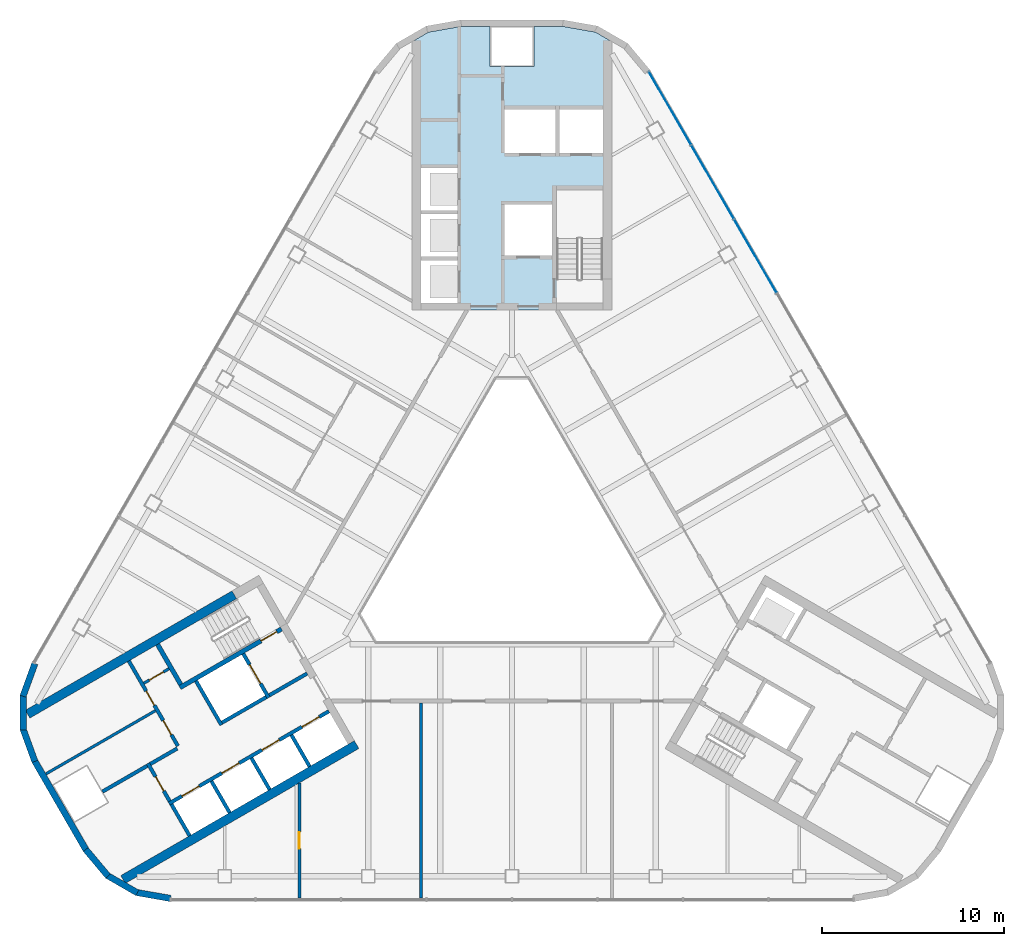
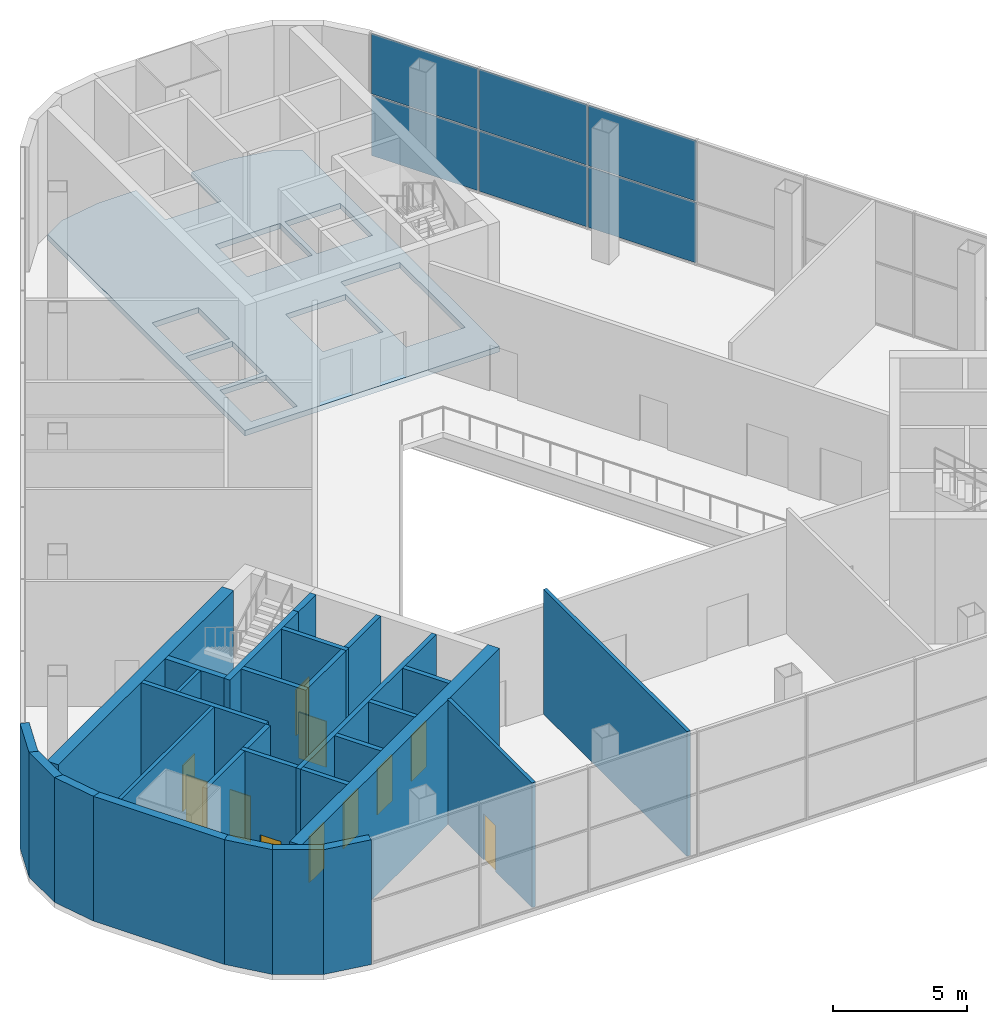
# One storey, part 7 of 14: 29 walls, 11 doors, 6 plates, 1 slab, 11 openings, 1 element without a shape of its own.
"""IFC4 building model written with IfcOpenShell, lengths in metres."""

from ifc_helpers import new_model, si_unit, direction, frame, frame_2d, origin, origin_2d, place, context, subcontext, project, spatial, polyline, rectangle, outline, extrude, material, layer, layer_set, type_object, element, fill, aggregate, save


model = new_model("IFC4")

# Units and contexts
model_context = context("Model", 3, precision=1e-05, world=origin(), true_north=direction((0.0, 1.0)))
body_context = subcontext(model_context, "Body", "Model", "MODEL_VIEW")
ifc_project = project(units=[si_unit("LENGTHUNIT", "METRE"), si_unit("AREAUNIT", "SQUARE_METRE"), si_unit("VOLUMEUNIT", "CUBIC_METRE"), si_unit("PLANEANGLEUNIT", "RADIAN"), si_unit("MASSUNIT", "GRAM", prefix="KILO")], contexts=[model_context])

# Site, building, storey
site_placement = place(None, origin())
site = spatial("IfcSite", under=ifc_project, at=site_placement, CompositionType="ELEMENT")
building_placement = place(site_placement, origin())
building = spatial("IfcBuilding", under=site, at=building_placement, Name="Apuvela Tower Hotel", CompositionType="ELEMENT")
storey_placement = place(building_placement, frame((0.0, 0.0, 231.699951171875)))
storey = spatial("IfcBuildingStorey", under=building, at=storey_placement, Name="L57", CompositionType="ELEMENT", Elevation=231.699951171875)

# Slab
ifc_material_1 = material(Name="Concrete C50/60", Category="concrete")
ifc_layer_1 = layer(ifc_material_1, 0.25)
ifc_layer_set_1 = layer_set([ifc_layer_1], Name="COR-FLOOR-250")
slab_type = type_object("IfcSlabType", Name="COR-FLOOR-250", PredefinedType="FLOOR", material=ifc_layer_set_1)
slab_placement = place(storey_placement, frame((0.0, 0.0, -0.25)))
element("IfcSlab", 1, at=slab_placement, inside=storey, type_object=slab_type, Name="Core floor N", PredefinedType="FLOOR", context=body_context, shape_type="SweptSolid", body=[
    extrude(outline(polyline([(5.5, 27.668212890625), (4.588623046875, 28.1943359375), (2.85498046875, 28.5), (1.199951171875, 28.5), (1.199951171875, 26.300048828125), (-1.199951171875, 26.300048828125), (-1.199951171875, 28.5), (-2.85498046875, 28.5), (-4.588623046875, 28.1943359375), (-5.5, 27.668212890625), (-5.5, 12.89990234375), (5.5, 12.89990234375), (5.5, 27.668212890625)]), holes=[polyline([(-3.0, 13.300048828125), (-5.0, 13.300048828125), (-5.0, 15.639892578125), (-3.0, 15.639892578125), (-3.0, 13.300048828125)]), polyline([(-3.0, 18.179931640625), (-3.0, 15.840087890625), (-5.0, 15.840087890625), (-5.0, 18.179931640625), (-3.0, 18.179931640625)]), polyline([(5.0, 19.5), (5.0, 14.60595703125), (2.449951171875, 14.60595703125), (2.449951171875, 19.5), (5.0, 19.5)]), polyline([(2.199951171875, 18.699951171875), (2.199951171875, 15.89990234375), (-0.39990234375, 15.89990234375), (-0.39990234375, 18.699951171875), (2.199951171875, 18.699951171875)]), polyline([(-3.0, 20.719970703125), (-3.0, 18.3798828125), (-5.0, 18.3798828125), (-5.0, 20.719970703125), (-3.0, 20.719970703125)]), polyline([(5.0, 23.949951171875), (5.0, 21.550048828125), (2.60009765625, 21.550048828125), (2.60009765625, 23.949951171875), (5.0, 23.949951171875)]), polyline([(2.39990234375, 23.949951171875), (2.39990234375, 21.550048828125), (-0.39990234375, 21.550048828125), (-0.39990234375, 23.949951171875), (2.39990234375, 23.949951171875)])]), origin(), (0.0, 0.0, 1.0), 0.25),
])

# Curtain wall, plates
ifc_material_2 = material(Name="Aluminium 6063-T6, dark bronze anodised", Category="aluminium")
ifc_layer_2 = layer(ifc_material_2, 0.199951171875)
ifc_layer_set_2 = layer_set([ifc_layer_2], Name="ENV-CW-S")
curtain_wall_type = type_object("IfcCurtainWallType", Name="ENV-CW-S", PredefinedType="NOTDEFINED", material=ifc_layer_set_2)
curtain_wall_placement = place(storey_placement, origin())
curtain_wall = element("IfcCurtainWall", 2, at=curtain_wall_placement, inside=storey, type_object=curtain_wall_type, Name="Curtain wall CW-S NE L57", PredefinedType="NOTDEFINED")
ifc_material_3 = material(Name="Glass, dark tinted laminated insulated glazing unit", Category="glass")
ifc_layer_3 = layer(ifc_material_3, 0.0400390625)
ifc_layer_set_3 = layer_set([ifc_layer_3], Name="ENV-PANEL-IGU-40")
plate_type = type_object("IfcPlateType", Name="ENV-PANEL-IGU-40", PredefinedType="CURTAIN_PANEL", material=ifc_layer_set_3)
plate_1_placement = place(storey_placement, frame((13.385498046875, 15.875732421875, 0.065185546875), z_axis=(0.0, 0.0, 1.0), x_axis=(-0.49999909771, 0.866025924721, 0.0)))
plate_1 = element("IfcPlate", 3, at=plate_1_placement, type_object=plate_type, Name="CW-S panel 6.1", PredefinedType="CURTAIN_PANEL", context=body_context, shape_type="SweptSolid", body=[
    extrude(rectangle(XDim=4.638916015625, YDim=0.0400390625, at=origin_2d()), origin(), (0.0, 0.0, 1.0), 2.75244140625),
])
plate_2_placement = place(storey_placement, frame((13.385498046875, 15.875732421875, 2.882568359375), z_axis=(0.0, 0.0, 1.0), x_axis=(-0.49999909771, 0.866025924721, 0.0)))
plate_2 = element("IfcPlate", 4, at=plate_2_placement, type_object=plate_type, Name="CW-S panel 6.2", PredefinedType="CURTAIN_PANEL", context=body_context, shape_type="SweptSolid", body=[
    extrude(rectangle(XDim=4.638916015625, YDim=0.0400390625, at=origin_2d()), origin(), (0.0, 0.0, 1.0), 2.75244140625),
])
plate_3_placement = place(storey_placement, frame((11.033447265625, 19.949462890625, 0.065185546875), z_axis=(0.0, 0.0, 1.0), x_axis=(-0.49999909771, 0.866025924721, 0.0)))
plate_3 = element("IfcPlate", 5, at=plate_3_placement, type_object=plate_type, Name="CW-S panel 7.1", PredefinedType="CURTAIN_PANEL", context=body_context, shape_type="SweptSolid", body=[
    extrude(rectangle(XDim=4.638916015625, YDim=0.0400390625, at=origin_2d()), origin(), (0.0, 0.0, 1.0), 2.75244140625),
])
plate_4_placement = place(storey_placement, frame((11.033447265625, 19.949462890625, 2.882568359375), z_axis=(0.0, 0.0, 1.0), x_axis=(-0.49999909771, 0.866025924721, 0.0)))
plate_4 = element("IfcPlate", 6, at=plate_4_placement, type_object=plate_type, Name="CW-S panel 7.2", PredefinedType="CURTAIN_PANEL", context=body_context, shape_type="SweptSolid", body=[
    extrude(rectangle(XDim=4.638916015625, YDim=0.0400390625, at=origin_2d()), origin(), (0.0, 0.0, 1.0), 2.75244140625),
])
plate_5_placement = place(storey_placement, frame((8.689697265625, 24.009033203125, 0.065185546875), z_axis=(0.0, 0.0, 1.0), x_axis=(-0.49999909771, 0.866025924721, 0.0)))
plate_5 = element("IfcPlate", 7, at=plate_5_placement, type_object=plate_type, Name="CW-S panel 8.1", PredefinedType="CURTAIN_PANEL", context=body_context, shape_type="SweptSolid", body=[
    extrude(rectangle(XDim=4.6064453125, YDim=0.0400390625, at=origin_2d()), origin(), (0.0, 0.0, 1.0), 2.75244140625),
])
plate_6_placement = place(storey_placement, frame((8.689697265625, 24.009033203125, 2.882568359375), z_axis=(0.0, 0.0, 1.0), x_axis=(-0.49999909771, 0.866025924721, 0.0)))
plate_6 = element("IfcPlate", 8, at=plate_6_placement, type_object=plate_type, Name="CW-S panel 8.2", PredefinedType="CURTAIN_PANEL", context=body_context, shape_type="SweptSolid", body=[
    extrude(rectangle(XDim=4.6064453125, YDim=0.0400390625, at=origin_2d()), origin(), (0.0, 0.0, 1.0), 2.75244140625),
])
aggregate(curtain_wall, [plate_1, plate_2, plate_3, plate_4, plate_5, plate_6])

# Walls
ifc_layer_4 = layer(ifc_material_1, 0.5)
ifc_layer_set_4 = layer_set([ifc_layer_4], Name="COR-WALL-CORE-500")
wall_type_1 = type_object("IfcWallType", Name="COR-WALL-CORE-500", PredefinedType="SHEAR", material=ifc_layer_set_4)
wall_1_placement = place(storey_placement, frame((-8.546630859375, -10.99658203125, 0.0), z_axis=(0.0, 0.0, 1.0), x_axis=(-0.866025009528, -0.500000682871, 0.0)))
element("IfcWall", 9, at=wall_1_placement, inside=storey, type_object=wall_type_1, Name="Core wall SW", PredefinedType="SHEAR", context=body_context, shape_type="SweptSolid", body=[
    extrude(rectangle(XDim=14.8369140625, YDim=0.5, at=frame_2d((7.41845703125, 0.0))), origin(), (0.0, 0.0, 1.0), 5.699951171875),
])
wall_2_placement = place(storey_placement, frame((-15.274169921875, -2.75634765625, 0.0), z_axis=(0.0, 0.0, 1.0), x_axis=(-0.86602396135, -0.500002498361, 0.0)))
element("IfcWall", 10, at=wall_2_placement, inside=storey, type_object=wall_type_1, Name="Core wall SW", PredefinedType="SHEAR", context=body_context, shape_type="SweptSolid", body=[
    extrude(rectangle(XDim=13.130859375, YDim=0.5, at=frame_2d((6.5654296875, 0.0))), origin(), (0.0, 0.0, 1.0), 5.699951171875),
])

# Wall, opening, door
ifc_material_4 = material(Name="Blockwork 150 mm plastered", Category="masonry")
ifc_layer_5 = layer(ifc_material_4, 0.14990234375)
ifc_layer_set_5 = layer_set([ifc_layer_5], Name="COR-WALL-PART-150")
wall_type_2 = type_object("IfcWallType", Name="COR-WALL-PART-150", PredefinedType="PARTITIONING", material=ifc_layer_set_5)
wall_3_placement = place(storey_placement, frame((-18.866455078125, -6.822265625, 0.0), z_axis=(0.0, 0.0, 1.0), x_axis=(-0.866028054938, -0.499995408039, 0.0)))
wall_3 = element("IfcWall", 11, at=wall_3_placement, inside=storey, type_object=wall_type_2, Name="Partition SW", PredefinedType="PARTITIONING", context=body_context, shape_type="SweptSolid", body=[
    extrude(rectangle(XDim=1.60009765625, YDim=0.14990234375, at=frame_2d((0.800048828125, 0.0))), origin(), (0.0, 0.0, 1.0), 5.699951171875),
])
opening_1_placement = place(wall_3_placement, frame((0.35009765625, 0.0, 0.0)))
opening_1 = element("IfcOpeningElement", 12, at=opening_1_placement, cuts=wall_3, Name="Opening W-RD", PredefinedType="OPENING", context=body_context, shape_type="SweptSolid", body=[
    extrude(rectangle(XDim=0.89990234375, YDim=2.10009765625, at=frame_2d((0.449951171875, 1.050048828125))), frame((0.0, 0.0849609375, 0.0), z_axis=(0.0, -1.0, 0.0), x_axis=(1.0, 0.0, 0.0)), (0.0, 0.0, 1.0), 0.169921875),
])
ifc_material_5 = material(Name="Steel access door, powder coated", Category="steel")
door_type_1 = type_object("IfcDoorType", Name="COR-RD-900", OperationType="NOTDEFINED", PredefinedType="DOOR", material=ifc_material_5)
door_1_placement = place(opening_1_placement, frame((0.89990234375, 0.0, 0.0), z_axis=(0.0, 0.0, 1.0), x_axis=(-1.0, 0.0, 0.0)))
door_1 = element("IfcDoor", 13, at=door_1_placement, inside=storey, type_object=door_type_1, Name="Riser door W-RD", OperationType="SINGLE_SWING_RIGHT", OverallHeight=2.10009765625, OverallWidth=0.89990234375, PredefinedType="DOOR", context=body_context, shape_type="SweptSolid", body=[
    extrude(rectangle(XDim=0.89990234375, YDim=2.10009765625, at=frame_2d((0.449951171875, 1.050048828125))), frame((0.0, 0.02490234375, 0.0), z_axis=(0.0, -1.0, 0.0), x_axis=(1.0, 0.0, 0.0)), (0.0, 0.0, 1.0), 0.050048828125),
])
fill(opening_1, door_1)

# Wall
wall_4_placement = place(storey_placement, frame((-19.61279296875, -9.129638671875, 0.0), z_axis=(0.0, 0.0, 1.0), x_axis=(-0.866031734426, -0.499989034847, 0.0)))
element("IfcWall", 14, at=wall_4_placement, inside=storey, type_object=wall_type_2, Name="Partition SW", PredefinedType="PARTITIONING", context=body_context, shape_type="SweptSolid", body=[
    extrude(rectangle(XDim=6.949951171875, YDim=0.14990234375, at=frame_2d((3.47509765625, 0.0))), origin(), (0.0, 0.0, 1.0), 5.699951171875),
])

# Wall, openings, doors
ifc_material_6 = material(Name="Blockwork 200 mm plastered", Category="masonry")
ifc_layer_6 = layer(ifc_material_6, 0.199951171875)
ifc_layer_set_6 = layer_set([ifc_layer_6], Name="COR-WALL-PART-200")
wall_type_3 = type_object("IfcWallType", Name="COR-WALL-PART-200", PredefinedType="PARTITIONING", material=ifc_layer_set_6)
wall_5_placement = place(storey_placement, frame((-21.076171875, -6.39501953125, 0.0), z_axis=(0.0, 0.0, 1.0), x_axis=(0.50001468107, -0.866016927499, 0.0)))
wall_5 = element("IfcWall", 15, at=wall_5_placement, inside=storey, type_object=wall_type_3, Name="Partition SW", PredefinedType="PARTITIONING", context=body_context, shape_type="SweptSolid", body=[
    extrude(rectangle(XDim=5.399658203125, YDim=0.199951171875, at=frame_2d((2.69970703125, 0.0))), origin(), (0.0, 0.0, 1.0), 5.699951171875),
])
opening_2_placement = place(wall_5_placement, frame((1.91259765625, 0.0, 0.0)))
opening_2 = element("IfcOpeningElement", 16, at=opening_2_placement, cuts=wall_5, Name="Opening W-RS1", PredefinedType="OPENING", context=body_context, shape_type="SweptSolid", body=[
    extrude(rectangle(XDim=0.89990234375, YDim=2.10009765625, at=frame_2d((0.449951171875, 1.050048828125))), frame((0.0, 0.10986328125, 0.0), z_axis=(0.0, -1.0, 0.0), x_axis=(1.0, 0.0, 0.0)), (0.0, 0.0, 1.0), 0.219970703125),
])
opening_3_placement = place(wall_5_placement, frame((3.78759765625, 0.0, 0.0)))
opening_3 = element("IfcOpeningElement", 17, at=opening_3_placement, cuts=wall_5, Name="Opening W-RS2", PredefinedType="OPENING", context=body_context, shape_type="SweptSolid", body=[
    extrude(rectangle(XDim=0.89990234375, YDim=2.10009765625, at=frame_2d((0.449951171875, 1.050048828125))), frame((0.0, 0.10986328125, 0.0), z_axis=(0.0, -1.0, 0.0), x_axis=(1.0, 0.0, 0.0)), (0.0, 0.0, 1.0), 0.219970703125),
])
ifc_material_7 = material(Name="Steel fire door, powder coated", Category="steel")
door_type_2 = type_object("IfcDoorType", Name="COR-DR-900", OperationType="NOTDEFINED", PredefinedType="DOOR", material=ifc_material_7)
door_2_placement = place(opening_2_placement, frame((0.89990234375, 0.0, 0.0), z_axis=(0.0, 0.0, 1.0), x_axis=(-1.0, 0.0, 0.0)))
door_2 = element("IfcDoor", 18, at=door_2_placement, inside=storey, type_object=door_type_2, Name="Store door W-RS1", OperationType="SINGLE_SWING_LEFT", OverallHeight=2.10009765625, OverallWidth=0.89990234375, PredefinedType="DOOR", context=body_context, shape_type="SweptSolid", body=[
    extrude(rectangle(XDim=0.89990234375, YDim=2.10009765625, at=frame_2d((0.449951171875, 1.050048828125))), frame((0.0, 0.02490234375, 0.0), z_axis=(0.0, -1.0, 0.0), x_axis=(1.0, 0.0, 0.0)), (0.0, 0.0, 1.0), 0.050048828125),
])
fill(opening_2, door_2)
door_3_placement = place(opening_3_placement, frame((0.89990234375, 0.0, 0.0), z_axis=(0.0, 0.0, 1.0), x_axis=(-1.0, 0.0, 0.0)))
door_3 = element("IfcDoor", 19, at=door_3_placement, inside=storey, type_object=door_type_2, Name="Store door W-RS2", OperationType="SINGLE_SWING_LEFT", OverallHeight=2.10009765625, OverallWidth=0.89990234375, PredefinedType="DOOR", context=body_context, shape_type="SweptSolid", body=[
    extrude(rectangle(XDim=0.89990234375, YDim=2.10009765625, at=frame_2d((0.449951171875, 1.050048828125))), frame((0.0, 0.02490234375, 0.0), z_axis=(0.0, -1.0, 0.0), x_axis=(1.0, 0.0, 0.0)), (0.0, 0.0, 1.0), 0.050048828125),
])
fill(opening_3, door_3)

# Wall
ifc_layer_7 = layer(ifc_material_1, 0.199951171875)
ifc_layer_set_7 = layer_set([ifc_layer_7], Name="COR-WALL-SHAFT-200")
wall_type_4 = type_object("IfcWallType", Name="COR-WALL-SHAFT-200", PredefinedType="SHEAR", material=ifc_layer_set_7)
wall_6_placement = place(storey_placement, frame((-17.38134765625, -7.49462890625, 0.0), z_axis=(0.0, 0.0, 1.0), x_axis=(0.500011755427, -0.866018616679, 0.0)))
element("IfcWall", 20, at=wall_6_placement, inside=storey, type_object=wall_type_4, Name="Shaft wall SW", PredefinedType="SHEAR", context=body_context, shape_type="SweptSolid", body=[
    extrude(rectangle(XDim=2.80029296875, YDim=0.199951171875, at=frame_2d((1.400146484375, 0.0))), origin(), (0.0, 0.0, 1.0), 5.699951171875),
])

# Wall, opening, door
wall_7_placement = place(storey_placement, frame((-14.783203125, -5.99462890625, 0.0), z_axis=(0.0, 0.0, 1.0), x_axis=(0.49994636267, -0.866056369097, 0.0)))
wall_7 = element("IfcWall", 21, at=wall_7_placement, inside=storey, type_object=wall_type_4, Name="Shaft wall SW", PredefinedType="SHEAR", context=body_context, shape_type="SweptSolid", body=[
    extrude(rectangle(XDim=2.800048828125, YDim=0.199951171875, at=frame_2d((1.39990234375, 0.0))), origin(), (0.0, 0.0, 1.0), 5.699951171875),
])
opening_4_placement = place(wall_7_placement, frame((0.699951171875, 0.0, 0.0)))
opening_4 = element("IfcOpeningElement", 22, at=opening_4_placement, cuts=wall_7, Name="Opening W-LD-FS2", PredefinedType="OPENING", context=body_context, shape_type="SweptSolid", body=[
    extrude(rectangle(XDim=1.199951171875, YDim=2.10009765625, at=frame_2d((0.60009765625, 1.050048828125))), frame((0.0, 0.10986328125, 0.0), z_axis=(0.0, -1.0, 0.0), x_axis=(1.0, 0.0, 0.0)), (0.0, 0.0, 1.0), 0.219970703125),
])
ifc_material_8 = material(Name="Stainless steel lift landing door", Category="steel")
door_type_3 = type_object("IfcDoorType", Name="COR-LD-1200", OperationType="DOUBLE_DOOR_SLIDING", PredefinedType="DOOR", material=ifc_material_8)
door_4_placement = place(opening_4_placement, origin())
door_4 = element("IfcDoor", 23, at=door_4_placement, inside=storey, type_object=door_type_3, Name="Lift landing door W-LD-FS2", OperationType="DOUBLE_DOOR_SLIDING", OverallHeight=2.10009765625, OverallWidth=1.199951171875, PredefinedType="DOOR", context=body_context, shape_type="SweptSolid", body=[
    extrude(rectangle(XDim=1.199951171875, YDim=2.10009765625, at=frame_2d((0.60009765625, 1.050048828125))), frame((0.0, 0.02490234375, 0.0), z_axis=(0.0, -1.0, 0.0), x_axis=(1.0, 0.0, 0.0)), (0.0, 0.0, 1.0), 0.050048828125),
])
fill(opening_4, door_4)

# Walls
wall_8_placement = place(storey_placement, frame((-13.519775390625, -8.383056640625, 0.0), z_axis=(0.0, 0.0, 1.0), x_axis=(-0.866034573852, -0.49998411664, 0.0)))
element("IfcWall", 24, at=wall_8_placement, inside=storey, type_object=wall_type_4, Name="Shaft wall SW", PredefinedType="SHEAR", context=body_context, shape_type="SweptSolid", body=[
    extrude(rectangle(XDim=2.7998046875, YDim=0.199951171875, at=frame_2d((1.39990234375, 0.0))), origin(), (0.0, 0.0, 1.0), 5.699951171875),
])
wall_9_placement = place(storey_placement, frame((-11.26806640625, -7.0830078125, 0.0), z_axis=(0.0, 0.0, 1.0), x_axis=(-0.866050077142, -0.499957262057, 0.0)))
element("IfcWall", 25, at=wall_9_placement, inside=storey, type_object=wall_type_4, Name="Shaft wall SW", PredefinedType="SHEAR", context=body_context, shape_type="SweptSolid", body=[
    extrude(rectangle(XDim=2.400146484375, YDim=0.199951171875, at=frame_2d((1.2001953125, 0.0))), origin(), (0.0, 0.0, 1.0), 5.699951171875),
])

# Wall, openings, doors
wall_10_placement = place(storey_placement, frame((-10.068115234375, -9.16162109375, 0.0), z_axis=(0.0, 0.0, 1.0), x_axis=(-0.866032725843, -0.499987317609, 0.0)))
wall_10 = element("IfcWall", 26, at=wall_10_placement, inside=storey, type_object=wall_type_4, Name="Shaft wall SW", PredefinedType="SHEAR", context=body_context, shape_type="SweptSolid", body=[
    extrude(rectangle(XDim=10.159912109375, YDim=0.199951171875, at=frame_2d((5.080078125, 0.0))), origin(), (0.0, 0.0, 1.0), 5.699951171875),
])
opening_5_placement = place(wall_10_placement, frame((0.6201171875, 0.0, 0.0)))
opening_5 = element("IfcOpeningElement", 27, at=opening_5_placement, cuts=wall_10, Name="Opening W-LD-MR1", PredefinedType="OPENING", context=body_context, shape_type="SweptSolid", body=[
    extrude(rectangle(XDim=1.10009765625, YDim=2.10009765625, at=frame_2d((0.550048828125, 1.050048828125))), frame((0.0, 0.10986328125, 0.0), z_axis=(0.0, -1.0, 0.0), x_axis=(1.0, 0.0, 0.0)), (0.0, 0.0, 1.0), 0.219970703125),
])
opening_6_placement = place(wall_10_placement, frame((3.159912109375, 0.0, 0.0)))
opening_6 = element("IfcOpeningElement", 28, at=opening_6_placement, cuts=wall_10, Name="Opening W-LD-MR2", PredefinedType="OPENING", context=body_context, shape_type="SweptSolid", body=[
    extrude(rectangle(XDim=1.10009765625, YDim=2.10009765625, at=frame_2d((0.550048828125, 1.050048828125))), frame((0.0, 0.10986328125, 0.0), z_axis=(0.0, -1.0, 0.0), x_axis=(1.0, 0.0, 0.0)), (0.0, 0.0, 1.0), 0.219970703125),
])
opening_7_placement = place(wall_10_placement, frame((5.699951171875, 0.0, 0.0)))
opening_7 = element("IfcOpeningElement", 29, at=opening_7_placement, cuts=wall_10, Name="Opening W-LD-MR3", PredefinedType="OPENING", context=body_context, shape_type="SweptSolid", body=[
    extrude(rectangle(XDim=1.10009765625, YDim=2.10009765625, at=frame_2d((0.550048828125, 1.050048828125))), frame((0.0, 0.10986328125, 0.0), z_axis=(0.0, -1.0, 0.0), x_axis=(1.0, 0.0, 0.0)), (0.0, 0.0, 1.0), 0.219970703125),
])
opening_8_placement = place(wall_10_placement, frame((8.239990234375, 0.0, 0.0)))
opening_8 = element("IfcOpeningElement", 30, at=opening_8_placement, cuts=wall_10, Name="Opening W-LD-MR4", PredefinedType="OPENING", context=body_context, shape_type="SweptSolid", body=[
    extrude(rectangle(XDim=1.10009765625, YDim=2.10009765625, at=frame_2d((0.550048828125, 1.050048828125))), frame((0.0, 0.10986328125, 0.0), z_axis=(0.0, -1.0, 0.0), x_axis=(1.0, 0.0, 0.0)), (0.0, 0.0, 1.0), 0.219970703125),
])
door_type_4 = type_object("IfcDoorType", Name="COR-LD-1100", OperationType="DOUBLE_DOOR_SLIDING", PredefinedType="DOOR", material=ifc_material_8)
door_5_placement = place(opening_5_placement, origin())
door_5 = element("IfcDoor", 31, at=door_5_placement, inside=storey, type_object=door_type_4, Name="Lift landing door W-LD-MR1", OperationType="DOUBLE_DOOR_SLIDING", OverallHeight=2.10009765625, OverallWidth=1.10009765625, PredefinedType="DOOR", context=body_context, shape_type="SweptSolid", body=[
    extrude(rectangle(XDim=1.10009765625, YDim=2.10009765625, at=frame_2d((0.550048828125, 1.050048828125))), frame((0.0, 0.02490234375, 0.0), z_axis=(0.0, -1.0, 0.0), x_axis=(1.0, 0.0, 0.0)), (0.0, 0.0, 1.0), 0.050048828125),
])
fill(opening_5, door_5)
door_6_placement = place(opening_6_placement, origin())
door_6 = element("IfcDoor", 32, at=door_6_placement, inside=storey, type_object=door_type_4, Name="Lift landing door W-LD-MR2", OperationType="DOUBLE_DOOR_SLIDING", OverallHeight=2.10009765625, OverallWidth=1.10009765625, PredefinedType="DOOR", context=body_context, shape_type="SweptSolid", body=[
    extrude(rectangle(XDim=1.10009765625, YDim=2.10009765625, at=frame_2d((0.550048828125, 1.050048828125))), frame((0.0, 0.02490234375, 0.0), z_axis=(0.0, -1.0, 0.0), x_axis=(1.0, 0.0, 0.0)), (0.0, 0.0, 1.0), 0.050048828125),
])
fill(opening_6, door_6)
door_7_placement = place(opening_7_placement, origin())
door_7 = element("IfcDoor", 33, at=door_7_placement, inside=storey, type_object=door_type_4, Name="Lift landing door W-LD-MR3", OperationType="DOUBLE_DOOR_SLIDING", OverallHeight=2.10009765625, OverallWidth=1.10009765625, PredefinedType="DOOR", context=body_context, shape_type="SweptSolid", body=[
    extrude(rectangle(XDim=1.10009765625, YDim=2.10009765625, at=frame_2d((0.550048828125, 1.050048828125))), frame((0.0, 0.02490234375, 0.0), z_axis=(0.0, -1.0, 0.0), x_axis=(1.0, 0.0, 0.0)), (0.0, 0.0, 1.0), 0.050048828125),
])
fill(opening_7, door_7)
door_8_placement = place(opening_8_placement, origin())
door_8 = element("IfcDoor", 34, at=door_8_placement, inside=storey, type_object=door_type_4, Name="Lift landing door W-LD-MR4", OperationType="DOUBLE_DOOR_SLIDING", OverallHeight=2.10009765625, OverallWidth=1.10009765625, PredefinedType="DOOR", context=body_context, shape_type="SweptSolid", body=[
    extrude(rectangle(XDim=1.10009765625, YDim=2.10009765625, at=frame_2d((0.550048828125, 1.050048828125))), frame((0.0, 0.02490234375, 0.0), z_axis=(0.0, -1.0, 0.0), x_axis=(1.0, 0.0, 0.0)), (0.0, 0.0, 1.0), 0.050048828125),
])
fill(opening_8, door_8)

# Wall, opening, door
wall_11_placement = place(storey_placement, frame((-20.030517578125, -12.0263671875, 0.0), z_axis=(0.0, 0.0, 1.0), x_axis=(0.500033551112, -0.866006032174, 0.0)))
wall_11 = element("IfcWall", 35, at=wall_11_placement, inside=storey, type_object=wall_type_4, Name="Shaft wall SW", PredefinedType="SHEAR", context=body_context, shape_type="SweptSolid", body=[
    extrude(rectangle(XDim=2.400146484375, YDim=0.199951171875, at=frame_2d((1.2001953125, 0.0))), origin(), (0.0, 0.0, 1.0), 5.699951171875),
])
opening_9_placement = place(wall_11_placement, frame((0.85009765625, 0.0, 0.0)))
opening_9 = element("IfcOpeningElement", 36, at=opening_9_placement, cuts=wall_11, Name="Opening W-REP", PredefinedType="OPENING", context=body_context, shape_type="SweptSolid", body=[
    extrude(rectangle(XDim=0.89990234375, YDim=2.10009765625, at=frame_2d((0.449951171875, 1.050048828125))), frame((0.0, 0.10986328125, 0.0), z_axis=(0.0, -1.0, 0.0), x_axis=(1.0, 0.0, 0.0)), (0.0, 0.0, 1.0), 0.219970703125),
])
door_9_placement = place(opening_9_placement, frame((0.89990234375, 0.0, 0.0), z_axis=(0.0, 0.0, 1.0), x_axis=(-1.0, 0.0, 0.0)))
door_9 = element("IfcDoor", 37, at=door_9_placement, inside=storey, type_object=door_type_2, Name="Store door W-REP", OperationType="SINGLE_SWING_LEFT", OverallHeight=2.10009765625, OverallWidth=0.89990234375, PredefinedType="DOOR", context=body_context, shape_type="SweptSolid", body=[
    extrude(rectangle(XDim=0.89990234375, YDim=2.10009765625, at=frame_2d((0.449951171875, 1.050048828125))), frame((0.0, 0.02490234375, 0.0), z_axis=(0.0, -1.0, 0.0), x_axis=(1.0, 0.0, 0.0)), (0.0, 0.0, 1.0), 0.050048828125),
])
fill(opening_9, door_9)

# Walls
wall_12_placement = place(storey_placement, frame((-18.412841796875, -11.2080078125, 0.0), z_axis=(0.0, 0.0, 1.0), x_axis=(-0.866038183914, -0.499977863513, 0.0)))
element("IfcWall", 38, at=wall_12_placement, inside=storey, type_object=wall_type_4, Name="Shaft wall SW", PredefinedType="SHEAR", context=body_context, shape_type="SweptSolid", body=[
    extrude(rectangle(XDim=1.7099609375, YDim=0.199951171875, at=frame_2d((0.85498046875, 0.0))), origin(), (0.0, 0.0, 1.0), 5.699951171875),
])
for number, where, z_axis, x_axis, name in (
    (39, (-12.131103515625, -10.468017578125, 0.0), (0.0, 0.0, 1.0), (0.499972520799, -0.866041268327, 0.0), "Shaft wall SW"),
    (40, (-14.330810546875, -11.738037109375, 0.0), (0.0, 0.0, 1.0), (0.499972520799, -0.866041268327, 0.0), "Shaft wall SW"),
    (41, (-16.530517578125, -13.008056640625, 0.0), (0.0, 0.0, 1.0), (0.50002537861, -0.866010750942, 0.0), "Shaft wall SW"),
    (42, (-18.73046875, -14.278076171875, 0.0), (0.0, 0.0, 1.0), (0.50002537861, -0.866010750942, 0.0), "Shaft wall SW"),
):
    element("IfcWall", number, at=place(storey_placement, frame(where, z_axis=z_axis, x_axis=x_axis)), inside=storey, type_object=wall_type_4, Name=name, PredefinedType="SHEAR", context=body_context, shape_type="SweptSolid", body=[
        extrude(rectangle(XDim=2.0, YDim=0.199951171875, at=frame_2d((1.0, 0.0))), origin(), (0.0, 0.0, 1.0), 5.699951171875),
    ])
wall_13_placement = place(storey_placement, frame((-20.06689453125, -12.1630859375, 0.0), z_axis=(0.0, 0.0, 1.0), x_axis=(-0.866055327414, -0.49994816717, 0.0)))
element("IfcWall", 43, at=wall_13_placement, inside=storey, type_object=wall_type_4, Name="Shaft wall SW", PredefinedType="SHEAR", context=body_context, shape_type="SweptSolid", body=[
    extrude(rectangle(XDim=2.840087890625, YDim=0.199951171875, at=frame_2d((1.419921875, 0.0))), origin(), (0.0, 0.0, 1.0), 5.699951171875),
])
ifc_layer_8 = layer(ifc_material_1, 0.25)
ifc_layer_set_8 = layer_set([ifc_layer_8], Name="COR-WALL-STAIR-250")
wall_type_5 = type_object("IfcWallType", Name="COR-WALL-STAIR-250", PredefinedType="SHEAR", material=ifc_layer_set_8)
wall_14_placement = place(storey_placement, frame((-19.49560546875, -5.482421875, 0.0), z_axis=(0.0, 0.0, 1.0), x_axis=(0.499990435942, -0.866030925526, 0.0)))
element("IfcWall", 44, at=wall_14_placement, inside=storey, type_object=wall_type_5, Name="Stair wall SW", PredefinedType="SHEAR", context=body_context, shape_type="SweptSolid", body=[
    extrude(rectangle(XDim=2.5498046875, YDim=0.25, at=frame_2d((1.27490234375, 0.0))), origin(), (0.0, 0.0, 1.0), 5.699951171875),
])

# Wall, opening, door
wall_15_placement = place(storey_placement, frame((-12.6806640625, -4.636474609375, 0.0), z_axis=(0.0, 0.0, 1.0), x_axis=(-0.86601437931, -0.500019094464, 0.0)))
wall_15 = element("IfcWall", 45, at=wall_15_placement, inside=storey, type_object=wall_type_5, Name="Stair wall SW", PredefinedType="SHEAR", context=body_context, shape_type="SweptSolid", body=[
    extrude(rectangle(XDim=1.30615234375, YDim=0.25, at=frame_2d((0.653076171875, 0.0))), origin(), (0.0, 0.0, 1.0), 5.699951171875),
])
opening_10_placement = place(wall_15_placement, frame((0.300048828125, 0.0, 0.0)))
opening_10 = element("IfcOpeningElement", 46, at=opening_10_placement, cuts=wall_15, Name="Opening W-SD", PredefinedType="OPENING", context=body_context, shape_type="SweptSolid", body=[
    extrude(rectangle(XDim=1.0, YDim=2.10009765625, at=frame_2d((0.5, 1.050048828125))), frame((0.0, 0.135009765625, 0.0), z_axis=(0.0, -1.0, 0.0), x_axis=(1.0, 0.0, 0.0)), (0.0, 0.0, 1.0), 0.27001953125),
])
door_type_5 = type_object("IfcDoorType", Name="COR-SD-1000", OperationType="NOTDEFINED", PredefinedType="DOOR", material=ifc_material_7)
door_10_placement = place(opening_10_placement, frame((1.0, 0.0, 0.0), z_axis=(0.0, 0.0, 1.0), x_axis=(-1.0, 0.0, 0.0)))
door_10 = element("IfcDoor", 47, at=door_10_placement, inside=storey, type_object=door_type_5, Name="Stair door W-SD", OperationType="SINGLE_SWING_LEFT", OverallHeight=2.10009765625, OverallWidth=1.0, PredefinedType="DOOR", context=body_context, shape_type="SweptSolid", body=[
    extrude(rectangle(XDim=1.0, YDim=2.10009765625, at=frame_2d((0.5, 1.050048828125))), frame((0.0, 0.02490234375, 0.0), z_axis=(0.0, -1.0, 0.0), x_axis=(1.0, 0.0, 0.0)), (0.0, 0.0, 1.0), 0.050048828125),
])
fill(opening_10, door_10)

# Walls
wall_16_placement = place(storey_placement, frame((-13.811767578125, -5.28955078125, 0.0), z_axis=(0.0, 0.0, 1.0), x_axis=(-0.866023561601, -0.500003190742, 0.0)))
element("IfcWall", 48, at=wall_16_placement, inside=storey, type_object=wall_type_5, Name="Stair wall SW", PredefinedType="SHEAR", context=body_context, shape_type="SweptSolid", body=[
    extrude(rectangle(XDim=5.14404296875, YDim=0.25, at=frame_2d((2.572021484375, 0.0))), origin(), (0.0, 0.0, 1.0), 5.699951171875),
])
ifc_material_9 = material(Name="Concrete C40/50, dark pigmented precast panel", Category="concrete")
ifc_layer_9 = layer(ifc_material_9, 0.35009765625)
ifc_layer_set_9 = layer_set([ifc_layer_9], Name="ENV-WALL-350")
wall_type_6 = type_object("IfcWallType", Name="ENV-WALL-350", PredefinedType="SOLIDWALL", material=ifc_layer_set_9)
for number, where, z_axis, x_axis, name in (
    (49, (-26.24365234375, -6.539794921875, 0.0), (0.0, 0.0, 1.0), (-0.342030395486, -0.939688889242, 0.0), "External wall L57-08"),
    (50, (-26.88623046875, -8.27490234375, 0.0), (0.0, 0.0, 1.0), (0.0, -1.0, 0.0), "External wall L57-09"),
    (51, (-26.89697265625, -10.125244140625, 0.0), (0.0, 0.0, 1.0), (0.342030395486, -0.939688889242, 0.0), "External wall L57-10"),
):
    element("IfcWall", number, at=place(storey_placement, frame(where, z_axis=z_axis, x_axis=x_axis)), inside=storey, type_object=wall_type_6, Name=name, PredefinedType="SOLIDWALL", context=body_context, shape_type="SweptSolid", body=[
        extrude(rectangle(XDim=1.91015625, YDim=0.35009765625, at=frame_2d((0.955078125, 0.0))), origin(), (0.0, 0.0, 1.0), 5.699951171875),
    ])
wall_17_placement = place(storey_placement, frame((-26.25634765625, -11.892578125, 0.0), z_axis=(0.0, 0.0, 1.0), x_axis=(0.499986410639, -0.866033249463, 0.0)))
element("IfcWall", 52, at=wall_17_placement, inside=storey, type_object=wall_type_6, Name="External wall L57-11", PredefinedType="SOLIDWALL", context=body_context, shape_type="SweptSolid", body=[
    extrude(rectangle(XDim=5.657958984375, YDim=0.35009765625, at=frame_2d((2.8291015625, 0.0))), origin(), (0.0, 0.0, 1.0), 5.699951171875),
])
for number, where, z_axis, x_axis, name in (
    (53, (-23.44482421875, -16.767578125, 0.0), (0.0, 0.0, 1.0), (0.642808304945, -0.766027077259, 0.0), "External wall L57-12"),
    (54, (-22.263671875, -18.191650390625, 0.0), (0.0, 0.0, 1.0), (0.866000389056, -0.500043324278, 0.0), "External wall L57-13"),
):
    element("IfcWall", number, at=place(storey_placement, frame(where, z_axis=z_axis, x_axis=x_axis)), inside=storey, type_object=wall_type_6, Name=name, PredefinedType="SOLIDWALL", context=body_context, shape_type="SweptSolid", body=[
        extrude(rectangle(XDim=1.909912109375, YDim=0.35009765625, at=frame_2d((0.955078125, 0.0))), origin(), (0.0, 0.0, 1.0), 5.699951171875),
    ])
wall_18_placement = place(storey_placement, frame((-20.66650390625, -19.1259765625, 0.0), z_axis=(0.0, 0.0, 1.0), x_axis=(0.984798995425, -0.173697837091, 0.0)))
element("IfcWall", 55, at=wall_18_placement, inside=storey, type_object=wall_type_6, Name="External wall L57-14", PredefinedType="SOLIDWALL", context=body_context, shape_type="SweptSolid", body=[
    extrude(rectangle(XDim=1.91015625, YDim=0.35009765625, at=frame_2d((0.955078125, 0.0))), origin(), (0.0, 0.0, 1.0), 5.699951171875),
])

# Wall, opening, door
ifc_material_10 = material(Name="Gypsum board partition on steel stud", Category="steel")
ifc_layer_10 = layer(ifc_material_10, 0.14990234375)
ifc_layer_set_10 = layer_set([ifc_layer_10], Name="SPC-WALL-PARTITION")
wall_type_7 = type_object("IfcWallType", Name="SPC-WALL-PARTITION", PredefinedType="PARTITIONING", material=ifc_layer_set_10)
wall_19_placement = place(storey_placement, frame((-11.69189453125, -19.429931640625, 0.0), z_axis=(0.0, 0.0, 1.0), x_axis=(0.0, 1.0, 0.0)))
wall_19 = element("IfcWall", 56, at=wall_19_placement, inside=storey, type_object=wall_type_7, Name="Wall L57-S-P01", PredefinedType="PARTITIONING", context=body_context, shape_type="SweptSolid", body=[
    extrude(rectangle(XDim=6.328857421875, YDim=0.14990234375, at=frame_2d((3.16455078125, 0.0))), origin(), (0.0, 0.0, 1.0), 5.699951171875),
])
opening_11_placement = place(wall_19_placement, frame((2.71435546875, 0.0, 0.0)))
opening_11 = element("IfcOpeningElement", 57, at=opening_11_placement, cuts=wall_19, Name="Opening L57-S06", PredefinedType="OPENING", context=body_context, shape_type="SweptSolid", body=[
    extrude(rectangle(XDim=0.89990234375, YDim=2.10009765625, at=frame_2d((0.449951171875, 1.050048828125))), frame((0.0, 0.0849609375, 0.0), z_axis=(0.0, -1.0, 0.0), x_axis=(1.0, 0.0, 0.0)), (0.0, 0.0, 1.0), 0.169921875),
])
ifc_material_11 = material(Name="Hardwood veneer door leaf", Category="wood")
door_type_6 = type_object("IfcDoorType", Name="SPC-DOOR-900", OperationType="NOTDEFINED", PredefinedType="DOOR", material=ifc_material_11)
door_11_placement = place(opening_11_placement, origin())
door_11 = element("IfcDoor", 58, at=door_11_placement, inside=storey, type_object=door_type_6, Name="L57-S06", OperationType="SINGLE_SWING_LEFT", OverallHeight=2.10009765625, OverallWidth=0.89990234375, PredefinedType="DOOR", context=body_context, shape_type="SweptSolid", body=[
    extrude(rectangle(XDim=0.89990234375, YDim=2.10009765625, at=frame_2d((0.449951171875, 1.050048828125))), frame((0.0, 0.02490234375, 0.0), z_axis=(0.0, -1.0, 0.0), x_axis=(1.0, 0.0, 0.0)), (0.0, 0.0, 1.0), 0.050048828125),
])
fill(opening_11, door_11)

# Wall
wall_20_placement = place(storey_placement, frame((-5.0, -19.429931640625, 0.0), z_axis=(0.0, 0.0, 1.0), x_axis=(0.0, 1.0, 0.0)))
element("IfcWall", 59, at=wall_20_placement, inside=storey, type_object=wall_type_7, Name="Wall L57-S-P02", PredefinedType="PARTITIONING", context=body_context, shape_type="SweptSolid", body=[
    extrude(rectangle(XDim=10.72998046875, YDim=0.14990234375, at=frame_2d((5.364990234375, 0.0))), origin(), (0.0, 0.0, 1.0), 5.699951171875),
])

save(model, "model.ifc")
